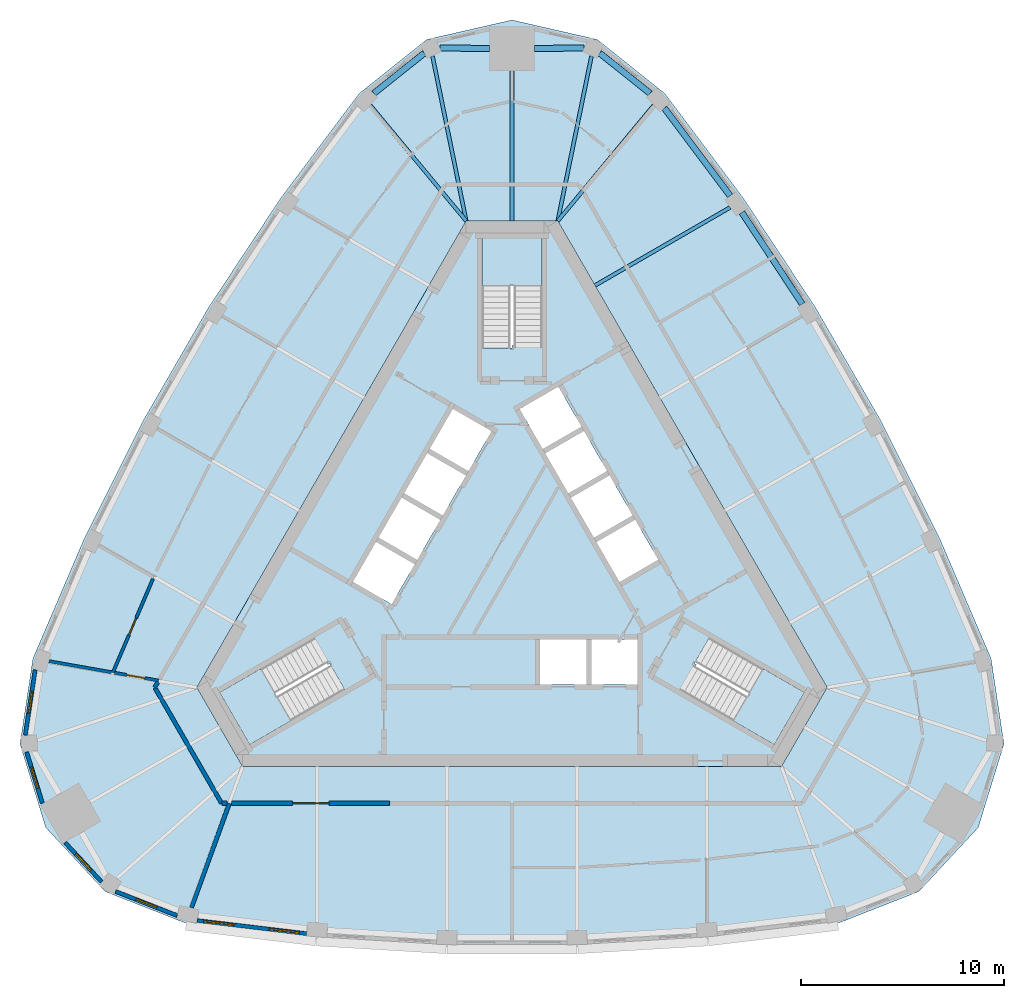
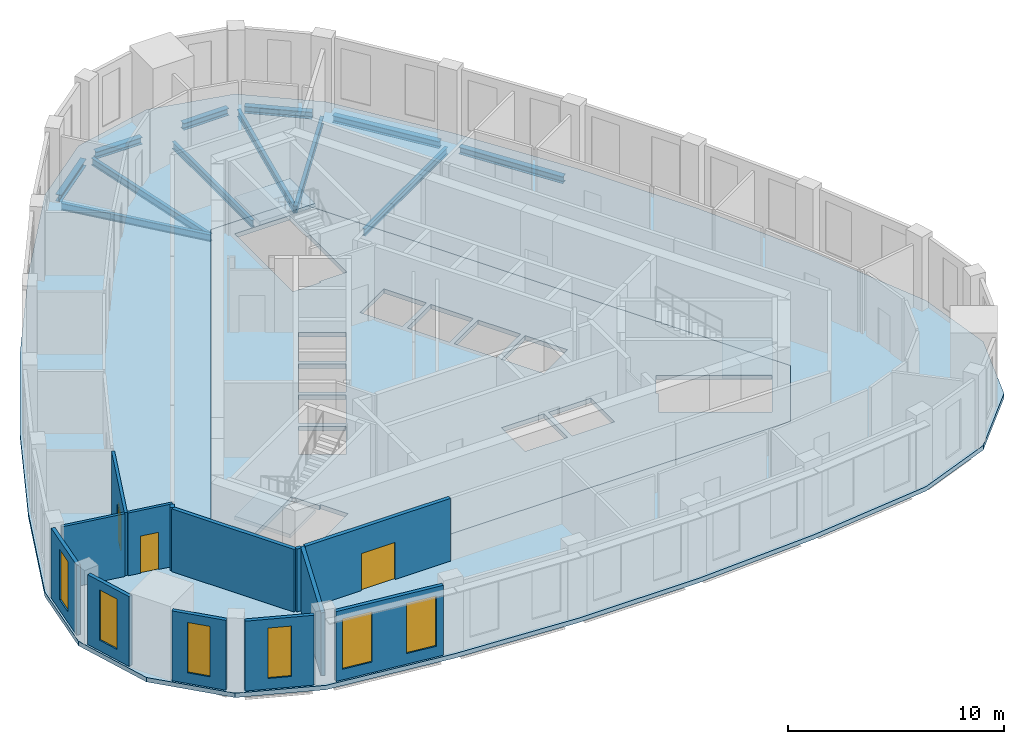
# One storey, part 2 of 10: 13 walls, 12 beams, 6 windows, 5 slabs, 3 doors, 9 openings, 3 elements without a shape of their own.
"""IFC4 building model written with IfcOpenShell, lengths in metres."""

from ifc_helpers import new_model, si_unit, direction, frame, frame_2d, origin, origin_2d, place, context, subcontext, project, spatial, polyline, rectangle, i_section, outline, extrude, material, layer, layer_set, material_profile, profile_set, type_object, element, fill, aggregate, save


model = new_model("IFC4")

# Units and contexts
model_context = context("Model", 3, precision=1e-05, world=origin(), true_north=direction((0.0, 1.0)))
body_context = subcontext(model_context, "Body", "Model", "MODEL_VIEW")
ifc_project = project(units=[si_unit("LENGTHUNIT", "METRE"), si_unit("AREAUNIT", "SQUARE_METRE"), si_unit("VOLUMEUNIT", "CUBIC_METRE"), si_unit("PLANEANGLEUNIT", "RADIAN"), si_unit("MASSUNIT", "GRAM", prefix="KILO")], contexts=[model_context])

# Site, building, storey
site_placement = place(None, origin())
site = spatial("IfcSite", under=ifc_project, at=site_placement, CompositionType="ELEMENT")
building_placement = place(site_placement, origin())
building = spatial("IfcBuilding", under=site, at=building_placement, Name="Mestral Congress Tower", CompositionType="ELEMENT")
storey_placement = place(building_placement, frame((0.0, 0.0, 296.39990234375)))
storey = spatial("IfcBuildingStorey", under=building, at=storey_placement, Name="L69", CompositionType="ELEMENT", Elevation=296.39990234375)

# Beams
ifc_material_1 = material(Name="Steel S355", Category="steel")
ifc_material_profile_1 = material_profile(ifc_material_1, i_section(OverallWidth=0.179931640625, OverallDepth=0.39990234375, WebThickness=0.008544921875, FlangeThickness=0.013427734375, FilletRadius=0.02099609375, at=origin_2d()), Name="IPE 400")
ifc_profile_set_1 = profile_set([ifc_material_profile_1], Name="Steel S355")
beam_type_1 = type_object("IfcBeamType", Name="Floor beam IPE 400 S355", PredefinedType="BEAM", material=ifc_profile_set_1)
beam_1_placement = place(storey_placement, frame((10.7275390625, 17.263916015625, -0.449951171875), z_axis=(-0.866019720907, -0.500009842903, 0.0), x_axis=(0.500009842903, -0.866019720907, 0.0)))
element("IfcBeam", 1, at=beam_1_placement, inside=storey, type_object=beam_type_1, Name="BM-L69-RB5-E04", PredefinedType="BEAM", context=body_context, shape_type="SweptSolid", body=[
    extrude(i_section(OverallWidth=0.179931640625, OverallDepth=0.39990234375, WebThickness=0.008544921875, FlangeThickness=0.013427734375, FilletRadius=0.02099609375, at=origin_2d()), origin(), (0.0, 0.0, 1.0), 7.672119140625),
])
beam_2_placement = place(storey_placement, frame((6.969970703125, 22.2890625, -0.449951171875), z_axis=(-0.638382651591, -0.769719163168, 0.0), x_axis=(0.769719163168, -0.638382651591, 0.0)))
element("IfcBeam", 2, at=beam_2_placement, inside=storey, type_object=beam_type_1, Name="BM-L69-RB5-E05", PredefinedType="BEAM", context=body_context, shape_type="SweptSolid", body=[
    extrude(i_section(OverallWidth=0.179931640625, OverallDepth=0.39990234375, WebThickness=0.008544921875, FlangeThickness=0.013427734375, FilletRadius=0.02099609375, at=origin_2d()), origin(), (0.0, 0.0, 1.0), 7.390869140625),
])
beam_3_placement = place(storey_placement, frame((3.910888671875, 24.7119140625, -0.449951171875), z_axis=(-0.200389803804, -0.979716247967, 0.0), x_axis=(0.979716247967, -0.200389803804, 0.0)))
element("IfcBeam", 3, at=beam_3_placement, inside=storey, type_object=beam_type_1, Name="BM-L69-RB5-N1", PredefinedType="BEAM", context=body_context, shape_type="SweptSolid", body=[
    extrude(i_section(OverallWidth=0.179931640625, OverallDepth=0.39990234375, WebThickness=0.008544921875, FlangeThickness=0.013427734375, FilletRadius=0.02099609375, at=origin_2d()), origin(), (0.0, 0.0, 1.0), 8.27978515625),
])
beam_4_placement = place(storey_placement, frame((0.0, 23.97802734375, -0.449951171875), z_axis=(0.0, -1.0, 0.0), x_axis=(1.0, 0.0, 0.0)))
element("IfcBeam", 4, at=beam_4_placement, inside=storey, type_object=beam_type_1, Name="BM-L69-RB5-N", PredefinedType="BEAM", context=body_context, shape_type="SweptSolid", body=[
    extrude(i_section(OverallWidth=0.179931640625, OverallDepth=0.39990234375, WebThickness=0.008544921875, FlangeThickness=0.013427734375, FilletRadius=0.02099609375, at=origin_2d()), origin(), (0.0, 0.0, 1.0), 7.3779296875),
])
beam_5_placement = place(storey_placement, frame((-3.910888671875, 24.7119140625, -0.449951171875), z_axis=(0.200389803804, -0.979716247967, 0.0), x_axis=(0.979716247967, 0.200389803804, 0.0)))
element("IfcBeam", 5, at=beam_5_placement, inside=storey, type_object=beam_type_1, Name="BM-L69-RB5-N3", PredefinedType="BEAM", context=body_context, shape_type="SweptSolid", body=[
    extrude(i_section(OverallWidth=0.179931640625, OverallDepth=0.39990234375, WebThickness=0.008544921875, FlangeThickness=0.013427734375, FilletRadius=0.02099609375, at=origin_2d()), origin(), (0.0, 0.0, 1.0), 8.27978515625),
])
beam_6_placement = place(storey_placement, frame((-6.969970703125, 22.2890625, -0.449951171875), z_axis=(0.638382651591, -0.769719163168, 0.0), x_axis=(0.769719163168, 0.638382651591, 0.0)))
element("IfcBeam", 6, at=beam_6_placement, inside=storey, type_object=beam_type_1, Name="BM-L69-RB5-W00", PredefinedType="BEAM", context=body_context, shape_type="SweptSolid", body=[
    extrude(i_section(OverallWidth=0.179931640625, OverallDepth=0.39990234375, WebThickness=0.008544921875, FlangeThickness=0.013427734375, FilletRadius=0.02099609375, at=origin_2d()), origin(), (0.0, 0.0, 1.0), 7.390869140625),
])
ifc_material_profile_2 = material_profile(ifc_material_1, i_section(OverallWidth=0.300048828125, OverallDepth=0.389892578125, WebThickness=0.010986328125, FlangeThickness=0.01904296875, FilletRadius=0.027099609375, at=origin_2d()), Name="HEA 400")
ifc_profile_set_2 = profile_set([ifc_material_profile_2], Name="Steel S355")
beam_type_2 = type_object("IfcBeamType", Name="Spandrel beam HEA 400 S355", PredefinedType="BEAM", material=ifc_profile_set_2)
beam_7_placement = place(storey_placement, frame((14.280517578125, 12.51611328125, -0.44482421875), z_axis=(-0.550748957655, 0.83467094453, 0.0), x_axis=(-0.83467094453, -0.550748957655, 0.0)))
element("IfcBeam", 7, at=beam_7_placement, inside=storey, type_object=beam_type_2, Name="SP-L69-SB5-E03", PredefinedType="BEAM", context=body_context, shape_type="SweptSolid", body=[
    extrude(i_section(OverallWidth=0.300048828125, OverallDepth=0.389892578125, WebThickness=0.010986328125, FlangeThickness=0.01904296875, FilletRadius=0.027099609375, at=origin_2d()), origin(), (0.0, 0.0, 1.0), 5.3984375),
])
beam_8_placement = place(storey_placement, frame((10.73193359375, 17.83984375, -0.44482421875), z_axis=(-0.599529393236, 0.800352738888, 0.0), x_axis=(-0.800352738888, -0.599529393236, 0.0)))
element("IfcBeam", 8, at=beam_8_placement, inside=storey, type_object=beam_type_2, Name="SP-L69-SB5-E04", PredefinedType="BEAM", context=body_context, shape_type="SweptSolid", body=[
    extrude(i_section(OverallWidth=0.300048828125, OverallDepth=0.389892578125, WebThickness=0.010986328125, FlangeThickness=0.01904296875, FilletRadius=0.027099609375, at=origin_2d()), origin(), (0.0, 0.0, 1.0), 5.396484375),
])
beam_9_placement = place(storey_placement, frame((6.7998046875, 22.876708984375, -0.44482421875), z_axis=(-0.781647188603, 0.623720829016, 0.0), x_axis=(-0.623720829016, -0.781647188603, 0.0)))
element("IfcBeam", 9, at=beam_9_placement, inside=storey, type_object=beam_type_2, Name="SP-L69-SB5-E05", PredefinedType="BEAM", context=body_context, shape_type="SweptSolid", body=[
    extrude(i_section(OverallWidth=0.300048828125, OverallDepth=0.389892578125, WebThickness=0.010986328125, FlangeThickness=0.01904296875, FilletRadius=0.027099609375, at=origin_2d()), origin(), (0.0, 0.0, 1.0), 3.179931640625),
])
for number, where, z_axis, x_axis, name in (
    (10, (3.54736328125, 25.11181640625, -0.44482421875), (-0.999955093848, -0.009476829002, 0.0), (0.009476829002, -0.999955093848, 0.0), "SP-L69-SB5-N1"),
    (11, (-1.10009765625, 25.088623046875, -0.44482421875), (-0.999955093848, 0.009476829002, 0.0), (-0.009476829002, -0.999955093848, 0.0), "SP-L69-SB5-N"),
):
    element("IfcBeam", number, at=place(storey_placement, frame(where, z_axis=z_axis, x_axis=x_axis)), inside=storey, type_object=beam_type_2, Name=name, PredefinedType="BEAM", context=body_context, shape_type="SweptSolid", body=[
        extrude(i_section(OverallWidth=0.300048828125, OverallDepth=0.389892578125, WebThickness=0.010986328125, FlangeThickness=0.01904296875, FilletRadius=0.027099609375, at=origin_2d()), origin(), (0.0, 0.0, 1.0), 2.447265625),
    ])
beam_10_placement = place(storey_placement, frame((-4.314208984375, 24.860107421875, -0.44482421875), z_axis=(-0.781647188603, -0.623720829016, 0.0), x_axis=(0.623720829016, -0.781647188603, 0.0)))
element("IfcBeam", 12, at=beam_10_placement, inside=storey, type_object=beam_type_2, Name="SP-L69-SB5-N3", PredefinedType="BEAM", context=body_context, shape_type="SweptSolid", body=[
    extrude(i_section(OverallWidth=0.300048828125, OverallDepth=0.389892578125, WebThickness=0.010986328125, FlangeThickness=0.01904296875, FilletRadius=0.027099609375, at=origin_2d()), origin(), (0.0, 0.0, 1.0), 3.179931640625),
])

# Slabs
ifc_material_2 = material(Name="Concrete C35/45", Category="concrete")
ifc_layer_1 = layer(ifc_material_2, 0.25)
ifc_layer_set_1 = layer_set([ifc_layer_1], Name="Concrete C35/45")
slab_type_1 = type_object("IfcSlabType", Name="Composite floor slab 250", PredefinedType="FLOOR", material=ifc_layer_set_1)
placement_1 = place(storey_placement, frame((0.0, 0.0, -0.25)))
element("IfcSlab", 13, at=placement_1, inside=storey, type_object=slab_type_1, Name="SL-L69", PredefinedType="FLOOR", context=body_context, shape_type="SweptSolid", body=[
    extrude(outline(polyline([(-16.051513671875, -17.951904296875), (-20.014404296875, -16.39794921875), (-22.940673828125, -13.244873046875), (-24.208251953125, -9.1337890625), (-23.572509765625, -4.925048828125), (-21.027587890625, 1.0234375), (-18.152099609375, 6.77001953125), (-14.939208984375, 12.335205078125), (-11.400146484375, 17.698486328125), (-7.52099609375, 22.876953125), (-4.19384765625, 25.531982421875), (0.0, 26.48974609375), (4.19384765625, 25.531982421875), (7.52099609375, 22.876953125), (11.400146484375, 17.698486328125), (14.939208984375, 12.335205078125), (18.152099609375, 6.77001953125), (21.027587890625, 1.0234375), (23.572509765625, -4.925048828125), (24.208251953125, -9.1337890625), (22.940673828125, -13.244873046875), (20.014404296875, -16.39794921875), (16.051513671875, -17.951904296875), (9.62744140625, -18.72216796875), (3.212890625, -19.105224609375), (-3.212890625, -19.105224609375), (-9.62744140625, -18.72216796875), (-16.051513671875, -17.951904296875)]), holes=[polyline([(-2.251708984375, 16.60009765625), (-15.501953125, -6.35009765625), (-13.250244140625, -10.25), (13.250244140625, -10.25), (15.501953125, -6.35009765625), (2.251708984375, 16.60009765625), (-2.251708984375, 16.60009765625)])]), origin(), (0.0, 0.0, 1.0), 0.25),
])
ifc_material_3 = material(Name="Concrete C60/75", Category="concrete")
ifc_layer_2 = layer(ifc_material_3, 0.25)
ifc_layer_set_2 = layer_set([ifc_layer_2], Name="Concrete C60/75")
slab_type_2 = type_object("IfcSlabType", Name="Core floor slab RC 250", PredefinedType="FLOOR", material=ifc_layer_set_2)
element("IfcSlab", 14, at=placement_1, inside=storey, type_object=slab_type_2, Name="L69 core floor", PredefinedType="FLOOR", context=body_context, shape_type="SweptSolid", body=[
    extrude(outline(polyline([(13.250244140625, -10.25), (-13.250244140625, -10.25), (-15.501953125, -6.35009765625), (-2.251708984375, 16.60009765625), (2.251708984375, 16.60009765625), (15.501953125, -6.35009765625), (13.250244140625, -10.25)]), holes=[polyline([(-14.37744140625, -6.59765625), (-12.90234375, -9.15234375), (-8.234619140625, -6.45751953125), (-8.971923828125, -5.179931640625), (-9.0673828125, -5.235107421875), (-9.8046875, -3.95751953125), (-14.37744140625, -6.59765625)]), polyline([(-5.921630859375, -2.256591796875), (-4.78662109375, -0.29052734375), (-6.69189453125, 0.809326171875), (-7.826904296875, -1.156494140625), (-5.921630859375, -2.256591796875)]), polyline([(-4.66162109375, -0.07421875), (-3.526611328125, 1.8916015625), (-5.431884765625, 2.99169921875), (-6.56689453125, 1.02587890625), (-4.66162109375, -0.07421875)]), polyline([(-2.2666015625, 4.07421875), (-4.171875, 5.174072265625), (-5.306884765625, 3.208251953125), (-3.401611328125, 2.1083984375), (-2.2666015625, 4.07421875)]), polyline([(-2.1416015625, 4.29052734375), (-1.006591796875, 6.256591796875), (-2.911865234375, 7.3564453125), (-4.046875, 5.390625), (-2.1416015625, 4.29052734375)]), polyline([(0.376708984375, 7.34765625), (1.51171875, 5.3818359375), (3.4169921875, 6.481689453125), (2.281982421875, 8.44775390625), (0.376708984375, 7.34765625)]), polyline([(1.47509765625, 15.75), (-1.47509765625, 15.75), (-1.47509765625, 10.360107421875), (0.0, 10.360107421875), (0.0, 10.469970703125), (1.47509765625, 10.469970703125), (1.47509765625, 15.75)]), polyline([(8.329833984375, -6.512451171875), (12.90234375, -9.15234375), (14.37744140625, -6.59765625), (9.70947265625, -3.902587890625), (8.971923828125, -5.179931640625), (9.0673828125, -5.235107421875), (8.329833984375, -6.512451171875)]), polyline([(3.655029296875, -4.0), (1.385009765625, -4.0), (1.385009765625, -6.199951171875), (3.655029296875, -6.199951171875), (3.655029296875, -4.0)]), polyline([(6.175048828125, -4.0), (3.905029296875, -4.0), (3.905029296875, -6.199951171875), (6.175048828125, -6.199951171875), (6.175048828125, -4.0)]), polyline([(4.156494140625, 0.800537109375), (5.29150390625, -1.165283203125), (7.197021484375, -0.065185546875), (6.06201171875, 1.900634765625), (4.156494140625, 0.800537109375)]), polyline([(2.896484375, 2.98291015625), (4.031494140625, 1.01708984375), (5.93701171875, 2.1171875), (4.802001953125, 4.0830078125), (2.896484375, 2.98291015625)]), polyline([(1.63671875, 5.165283203125), (2.771484375, 3.199462890625), (4.677001953125, 4.29931640625), (3.5419921875, 6.265380859375), (1.63671875, 5.165283203125)])]), origin(), (0.0, 0.0, 1.0), 0.25),
])

# Stair, slab
stair_type = type_object("IfcStairType", Name="Exit stair 1400", PredefinedType="HALF_TURN_STAIR", material=ifc_material_3)
placement_2 = place(storey_placement, origin())
stair_1 = element("IfcStair", 15, at=placement_2, inside=storey, type_object=stair_type, Name="L69 ST1", PredefinedType="HALF_TURN_STAIR")
ifc_layer_3 = layer(ifc_material_3, 0.199951171875)
ifc_layer_set_3 = layer_set([ifc_layer_3], Name="Concrete C60/75")
slab_type_3 = type_object("IfcSlabType", Name="Exit stair landing 200", PredefinedType="LANDING", material=ifc_layer_set_3)
placement_3 = place(storey_placement, frame((0.0, 0.0, 1.900146484375)))
slab_3 = element("IfcSlab", 16, at=placement_3, type_object=slab_type_3, Name="ST1 landing 1", PredefinedType="LANDING", context=body_context, shape_type="SweptSolid", body=[
    extrude(outline(polyline([(10.879638671875, -7.99609375), (12.364501953125, -5.424072265625), (14.39111328125, -6.593994140625), (12.906005859375, -9.166015625), (10.879638671875, -7.99609375)])), origin(), (0.0, 0.0, 1.0), 0.199951171875),
])
aggregate(stair_1, [slab_3])

stair_2 = element("IfcStair", 17, at=placement_2, inside=storey, type_object=stair_type, Name="L69 ST2", PredefinedType="HALF_TURN_STAIR")
slab_4 = element("IfcSlab", 18, at=placement_3, type_object=slab_type_3, Name="ST2 landing 1", PredefinedType="LANDING", context=body_context, shape_type="SweptSolid", body=[
    extrude(outline(polyline([(1.485107421875, 13.419921875), (-1.485107421875, 13.419921875), (-1.485107421875, 15.760009765625), (1.485107421875, 15.760009765625), (1.485107421875, 13.419921875)])), origin(), (0.0, 0.0, 1.0), 0.199951171875),
])
aggregate(stair_2, [slab_4])

stair_3 = element("IfcStair", 19, at=placement_2, inside=storey, type_object=stair_type, Name="L69 ST3", PredefinedType="HALF_TURN_STAIR")
slab_5 = element("IfcSlab", 20, at=placement_3, type_object=slab_type_3, Name="ST3 landing 1", PredefinedType="LANDING", context=body_context, shape_type="SweptSolid", body=[
    extrude(outline(polyline([(-12.364501953125, -5.424072265625), (-10.879638671875, -7.99609375), (-12.906005859375, -9.166015625), (-14.39111328125, -6.593994140625), (-12.364501953125, -5.424072265625)])), origin(), (0.0, 0.0, 1.0), 0.199951171875),
])
aggregate(stair_3, [slab_5])

# Wall, openings, windows
ifc_material_4 = material(Name="Precast concrete C40/50 with limestone facing", Category="masonry")
ifc_layer_4 = layer(ifc_material_4, 0.18994140625)
ifc_layer_set_4 = layer_set([ifc_layer_4], Name="Precast concrete C40/50 with limestone facing")
wall_type_1 = type_object("IfcWallType", Name="Facade stone wall 190", PredefinedType="SOLIDWALL", material=ifc_layer_set_4)
wall_1_placement = place(storey_placement, frame((-15.487060546875, -17.822998046875, 0.0), z_axis=(0.0, 0.0, 1.0), x_axis=(0.992885582795, -0.119072328769, 0.0)))
wall_1 = element("IfcWall", 21, at=wall_1_placement, inside=storey, type_object=wall_type_1, Name="Facade wall F0-00", PredefinedType="SOLIDWALL", context=body_context, shape_type="SweptSolid", body=[
    extrude(rectangle(XDim=5.4150390625, YDim=0.18994140625, at=frame_2d((2.70751953125, 0.0))), origin(), (0.0, 0.0, 1.0), 3.9501953125),
])
opening_1_placement = place(wall_1_placement, frame((0.322509765625, 0.0, 0.60009765625)))
opening_1 = element("IfcOpeningElement", 22, at=opening_1_placement, cuts=wall_1, Name="Opening W6", PredefinedType="OPENING", context=body_context, shape_type="SweptSolid", body=[
    extrude(rectangle(XDim=1.5, YDim=2.85009765625, at=frame_2d((0.75, 1.425048828125))), frame((0.0, 0.10498046875, 0.0), z_axis=(0.0, -1.0, 0.0), x_axis=(1.0, 0.0, 0.0)), (0.0, 0.0, 1.0), 0.2099609375),
])
opening_2_placement = place(wall_1_placement, frame((3.5576171875, 0.0, 0.60009765625)))
opening_2 = element("IfcOpeningElement", 23, at=opening_2_placement, cuts=wall_1, Name="Opening W6", PredefinedType="OPENING", context=body_context, shape_type="SweptSolid", body=[
    extrude(rectangle(XDim=1.5, YDim=2.85009765625, at=frame_2d((0.75, 1.425048828125))), frame((0.0, 0.10498046875, 0.0), z_axis=(0.0, -1.0, 0.0), x_axis=(1.0, 0.0, 0.0)), (0.0, 0.0, 1.0), 0.2099609375),
])
ifc_material_5 = material(Name="Clear low-emissivity double glazing", Category="glass")
window_type_1 = type_object("IfcWindowType", Name="Facade punched window 1500 x 2850 sill 600", PartitioningType="SINGLE_PANEL", PredefinedType="WINDOW", material=ifc_material_5)
window_1_placement = place(opening_1_placement, origin())
window_1 = element("IfcWindow", 24, at=window_1_placement, inside=storey, type_object=window_type_1, Name="Window F0-00a", OverallHeight=2.85009765625, OverallWidth=1.5, PartitioningType="SINGLE_PANEL", PredefinedType="WINDOW", context=body_context, shape_type="SweptSolid", body=[
    extrude(rectangle(XDim=1.5, YDim=2.85009765625, at=frame_2d((0.75, 1.425048828125))), frame((0.0, 0.044921875, 0.0), z_axis=(0.0, -1.0, 0.0), x_axis=(1.0, 0.0, 0.0)), (0.0, 0.0, 1.0), 0.06005859375),
])
fill(opening_1, window_1)
window_2_placement = place(opening_2_placement, origin())
window_2 = element("IfcWindow", 25, at=window_2_placement, inside=storey, type_object=window_type_1, Name="Window F0-00b", OverallHeight=2.85009765625, OverallWidth=1.5, PartitioningType="SINGLE_PANEL", PredefinedType="WINDOW", context=body_context, shape_type="SweptSolid", body=[
    extrude(rectangle(XDim=1.5, YDim=2.85009765625, at=frame_2d((0.75, 1.425048828125))), frame((0.0, 0.044921875, 0.0), z_axis=(0.0, -1.0, 0.0), x_axis=(1.0, 0.0, 0.0)), (0.0, 0.0, 1.0), 0.06005859375),
])
fill(opening_2, window_2)

# Wall, opening, window
wall_2_placement = place(storey_placement, frame((-23.460205078125, -5.488037109375, 0.0), z_axis=(0.0, 0.0, 1.0), x_axis=(-0.149421055602, -0.988773658702, 0.0)))
wall_2 = element("IfcWall", 26, at=wall_2_placement, inside=storey, type_object=wall_type_1, Name="Facade wall K2-0", PredefinedType="SOLIDWALL", context=body_context, shape_type="SweptSolid", body=[
    extrude(rectangle(XDim=3.23681640625, YDim=0.18994140625, at=frame_2d((1.618408203125, 0.0))), origin(), (0.0, 0.0, 1.0), 3.9501953125),
])
opening_3_placement = place(wall_2_placement, frame((1.068359375, 0.0, 0.60009765625)))
opening_3 = element("IfcOpeningElement", 27, at=opening_3_placement, cuts=wall_2, Name="Opening W7", PredefinedType="OPENING", context=body_context, shape_type="SweptSolid", body=[
    extrude(rectangle(XDim=1.10009765625, YDim=2.85009765625, at=frame_2d((0.550048828125, 1.425048828125))), frame((0.0, 0.10498046875, 0.0), z_axis=(0.0, -1.0, 0.0), x_axis=(1.0, 0.0, 0.0)), (0.0, 0.0, 1.0), 0.2099609375),
])
window_type_2 = type_object("IfcWindowType", Name="Facade punched window 1100 x 2850 sill 600", PartitioningType="SINGLE_PANEL", PredefinedType="WINDOW", material=ifc_material_5)
window_3_placement = place(opening_3_placement, origin())
window_3 = element("IfcWindow", 28, at=window_3_placement, inside=storey, type_object=window_type_2, Name="Window K2-0", OverallHeight=2.85009765625, OverallWidth=1.10009765625, PartitioningType="SINGLE_PANEL", PredefinedType="WINDOW", context=body_context, shape_type="SweptSolid", body=[
    extrude(rectangle(XDim=1.10009765625, YDim=2.85009765625, at=frame_2d((0.550048828125, 1.425048828125))), frame((0.0, 0.044921875, 0.0), z_axis=(0.0, -1.0, 0.0), x_axis=(1.0, 0.0, 0.0)), (0.0, 0.0, 1.0), 0.06005859375),
])
fill(opening_3, window_3)

wall_3_placement = place(storey_placement, frame((-23.880615234375, -9.53515625, 0.0), z_axis=(0.0, 0.0, 1.0), x_axis=(0.294706210429, -0.9555879078, 0.0)))
wall_3 = element("IfcWall", 29, at=wall_3_placement, inside=storey, type_object=wall_type_1, Name="Facade wall K2-1", PredefinedType="SOLIDWALL", context=body_context, shape_type="SweptSolid", body=[
    extrude(rectangle(XDim=2.626953125, YDim=0.18994140625, at=frame_2d((1.3134765625, 0.0))), origin(), (0.0, 0.0, 1.0), 3.9501953125),
])
opening_4_placement = place(wall_3_placement, frame((0.763427734375, 0.0, 0.60009765625)))
opening_4 = element("IfcOpeningElement", 30, at=opening_4_placement, cuts=wall_3, Name="Opening W7", PredefinedType="OPENING", context=body_context, shape_type="SweptSolid", body=[
    extrude(rectangle(XDim=1.10009765625, YDim=2.85009765625, at=frame_2d((0.550048828125, 1.425048828125))), frame((0.0, 0.10498046875, 0.0), z_axis=(0.0, -1.0, 0.0), x_axis=(1.0, 0.0, 0.0)), (0.0, 0.0, 1.0), 0.2099609375),
])
window_4_placement = place(opening_4_placement, origin())
window_4 = element("IfcWindow", 31, at=window_4_placement, inside=storey, type_object=window_type_2, Name="Window K2-1", OverallHeight=2.85009765625, OverallWidth=1.10009765625, PartitioningType="SINGLE_PANEL", PredefinedType="WINDOW", context=body_context, shape_type="SweptSolid", body=[
    extrude(rectangle(XDim=1.10009765625, YDim=2.85009765625, at=frame_2d((0.550048828125, 1.425048828125))), frame((0.0, 0.044921875, 0.0), z_axis=(0.0, -1.0, 0.0), x_axis=(1.0, 0.0, 0.0)), (0.0, 0.0, 1.0), 0.06005859375),
])
fill(opening_4, window_4)

wall_4_placement = place(storey_placement, frame((-21.98486328125, -13.988037109375, 0.0), z_axis=(0.0, 0.0, 1.0), x_axis=(0.680219354823, -0.733008614768, 0.0)))
wall_4 = element("IfcWall", 32, at=wall_4_placement, inside=storey, type_object=wall_type_1, Name="Facade wall K2-2", PredefinedType="SOLIDWALL", context=body_context, shape_type="SweptSolid", body=[
    extrude(rectangle(XDim=2.626953125, YDim=0.18994140625, at=frame_2d((1.3134765625, 0.0))), origin(), (0.0, 0.0, 1.0), 3.9501953125),
])
opening_5_placement = place(wall_4_placement, frame((0.763427734375, 0.0, 0.60009765625)))
opening_5 = element("IfcOpeningElement", 33, at=opening_5_placement, cuts=wall_4, Name="Opening W7", PredefinedType="OPENING", context=body_context, shape_type="SweptSolid", body=[
    extrude(rectangle(XDim=1.10009765625, YDim=2.85009765625, at=frame_2d((0.550048828125, 1.425048828125))), frame((0.0, 0.10498046875, 0.0), z_axis=(0.0, -1.0, 0.0), x_axis=(1.0, 0.0, 0.0)), (0.0, 0.0, 1.0), 0.2099609375),
])
window_5_placement = place(opening_5_placement, origin())
window_5 = element("IfcWindow", 34, at=window_5_placement, inside=storey, type_object=window_type_2, Name="Window K2-2", OverallHeight=2.85009765625, OverallWidth=1.10009765625, PartitioningType="SINGLE_PANEL", PredefinedType="WINDOW", context=body_context, shape_type="SweptSolid", body=[
    extrude(rectangle(XDim=1.10009765625, YDim=2.85009765625, at=frame_2d((0.550048828125, 1.425048828125))), frame((0.0, 0.044921875, 0.0), z_axis=(0.0, -1.0, 0.0), x_axis=(1.0, 0.0, 0.0)), (0.0, 0.0, 1.0), 0.06005859375),
])
fill(opening_5, window_5)

wall_5_placement = place(storey_placement, frame((-19.496337890625, -16.3916015625, 0.0), z_axis=(0.0, 0.0, 1.0), x_axis=(0.93100888477, -0.364996515709, 0.0)))
wall_5 = element("IfcWall", 35, at=wall_5_placement, inside=storey, type_object=wall_type_1, Name="Facade wall K2-3", PredefinedType="SOLIDWALL", context=body_context, shape_type="SweptSolid", body=[
    extrude(rectangle(XDim=3.23681640625, YDim=0.18994140625, at=frame_2d((1.618408203125, 0.0))), origin(), (0.0, 0.0, 1.0), 3.9501953125),
])
opening_6_placement = place(wall_5_placement, frame((1.068359375, 0.0, 0.60009765625)))
opening_6 = element("IfcOpeningElement", 36, at=opening_6_placement, cuts=wall_5, Name="Opening W7", PredefinedType="OPENING", context=body_context, shape_type="SweptSolid", body=[
    extrude(rectangle(XDim=1.10009765625, YDim=2.85009765625, at=frame_2d((0.550048828125, 1.425048828125))), frame((0.0, 0.10498046875, 0.0), z_axis=(0.0, -1.0, 0.0), x_axis=(1.0, 0.0, 0.0)), (0.0, 0.0, 1.0), 0.2099609375),
])
window_6_placement = place(opening_6_placement, origin())
window_6 = element("IfcWindow", 37, at=window_6_placement, inside=storey, type_object=window_type_2, Name="Window K2-3", OverallHeight=2.85009765625, OverallWidth=1.10009765625, PartitioningType="SINGLE_PANEL", PredefinedType="WINDOW", context=body_context, shape_type="SweptSolid", body=[
    extrude(rectangle(XDim=1.10009765625, YDim=2.85009765625, at=frame_2d((0.550048828125, 1.425048828125))), frame((0.0, 0.044921875, 0.0), z_axis=(0.0, -1.0, 0.0), x_axis=(1.0, 0.0, 0.0)), (0.0, 0.0, 1.0), 0.06005859375),
])
fill(opening_6, window_6)

# Wall, opening, door
ifc_material_6 = material(Name="Plasterboard partition on steel studs", Category="steel")
ifc_layer_5 = layer(ifc_material_6, 0.14990234375)
ifc_layer_set_5 = layer_set([ifc_layer_5], Name="Plasterboard partition on steel studs")
wall_type_2 = type_object("IfcWallType", Name="Office partition 150", PredefinedType="PARTITIONING", material=ifc_layer_set_5)
wall_6_placement = place(storey_placement, frame((-19.638671875, -5.61962890625, 0.0), z_axis=(0.0, 0.0, 1.0), x_axis=(0.393349802257, 0.919388891092, 0.0)))
wall_6 = element("IfcWall", 38, at=wall_6_placement, inside=storey, type_object=wall_type_2, Name="Partition", PredefinedType="PARTITIONING", context=body_context, shape_type="SweptSolid", body=[
    extrude(rectangle(XDim=5.019287109375, YDim=0.14990234375, at=frame_2d((2.509765625, 0.0))), origin(), (0.0, 0.0, 1.0), 3.550048828125),
])
opening_7_placement = place(wall_6_placement, frame((2.019287109375, 0.0, 0.0)))
opening_7 = element("IfcOpeningElement", 39, at=opening_7_placement, cuts=wall_6, Name="Opening O13-016", PredefinedType="OPENING", context=body_context, shape_type="SweptSolid", body=[
    extrude(rectangle(XDim=0.89990234375, YDim=2.10009765625, at=frame_2d((0.449951171875, 1.050048828125))), frame((0.0, 0.0849609375, 0.0), z_axis=(0.0, -1.0, 0.0), x_axis=(1.0, 0.0, 0.0)), (0.0, 0.0, 1.0), 0.169921875),
])
ifc_material_7 = material(Name="Timber door set", Category="wood")
door_type_1 = type_object("IfcDoorType", Name="Office door 900x2100", OperationType="SINGLE_SWING_LEFT", PredefinedType="DOOR", material=ifc_material_7)
door_1_placement = place(opening_7_placement, origin())
door_1 = element("IfcDoor", 40, at=door_1_placement, inside=storey, type_object=door_type_1, Name="Door O13-016", OperationType="SINGLE_SWING_LEFT", OverallHeight=2.10009765625, OverallWidth=0.89990234375, PredefinedType="DOOR", context=body_context, shape_type="SweptSolid", body=[
    extrude(rectangle(XDim=0.89990234375, YDim=2.10009765625, at=frame_2d((0.449951171875, 1.050048828125))), frame((0.0, 0.02490234375, 0.0), z_axis=(0.0, -1.0, 0.0), x_axis=(1.0, 0.0, 0.0)), (0.0, 0.0, 1.0), 0.050048828125),
])
fill(opening_7, door_1)

# Wall
wall_7_placement = place(storey_placement, frame((-19.71435546875, -5.606201171875, 0.0), z_axis=(0.0, 0.0, 1.0), x_axis=(-0.984768527071, 0.173870492294, 0.0)))
element("IfcWall", 41, at=wall_7_placement, inside=storey, type_object=wall_type_2, Name="Partition", PredefinedType="PARTITIONING", context=body_context, shape_type="SweptSolid", body=[
    extrude(rectangle(XDim=3.107421875, YDim=0.14990234375, at=frame_2d((1.5537109375, 0.0))), origin(), (0.0, 0.0, 1.0), 3.550048828125),
])

# Wall, opening, door
wall_8_placement = place(storey_placement, frame((-17.387939453125, -6.01708984375, 0.0), z_axis=(0.0, 0.0, 1.0), x_axis=(-0.984764633635, 0.173892542513, 0.0)))
wall_8 = element("IfcWall", 42, at=wall_8_placement, inside=storey, type_object=wall_type_2, Name="Partition", PredefinedType="PARTITIONING", context=body_context, shape_type="SweptSolid", body=[
    extrude(rectangle(XDim=2.20849609375, YDim=0.14990234375, at=frame_2d((1.104248046875, 0.0))), origin(), (0.0, 0.0, 1.0), 3.550048828125),
])
opening_8_placement = place(wall_8_placement, frame((0.699951171875, 0.0, 0.0)))
opening_8 = element("IfcOpeningElement", 43, at=opening_8_placement, cuts=wall_8, Name="Opening O13-018", PredefinedType="OPENING", context=body_context, shape_type="SweptSolid", body=[
    extrude(rectangle(XDim=0.89990234375, YDim=2.10009765625, at=frame_2d((0.449951171875, 1.050048828125))), frame((0.0, 0.0849609375, 0.0), z_axis=(0.0, -1.0, 0.0), x_axis=(1.0, 0.0, 0.0)), (0.0, 0.0, 1.0), 0.169921875),
])
door_2_placement = place(opening_8_placement, origin())
door_2 = element("IfcDoor", 44, at=door_2_placement, inside=storey, type_object=door_type_1, Name="Door O13-018", OperationType="SINGLE_SWING_RIGHT", OverallHeight=2.10009765625, OverallWidth=0.89990234375, PredefinedType="DOOR", context=body_context, shape_type="SweptSolid", body=[
    extrude(rectangle(XDim=0.89990234375, YDim=2.10009765625, at=frame_2d((0.449951171875, 1.050048828125))), frame((0.0, 0.02490234375, 0.0), z_axis=(0.0, -1.0, 0.0), x_axis=(1.0, 0.0, 0.0)), (0.0, 0.0, 1.0), 0.050048828125),
])
fill(opening_8, door_2)

# Wall
ifc_material_8 = material(Name="Dense masonry wall, plastered", Category="masonry")
ifc_layer_6 = layer(ifc_material_8, 0.199951171875)
ifc_layer_set_6 = layer_set([ifc_layer_6], Name="Dense masonry wall, plastered")
wall_type_3 = type_object("IfcWallType", Name="Office tenancy wall 200", PredefinedType="PARTITIONING", material=ifc_layer_set_6)
wall_9_placement = place(storey_placement, frame((-15.7744140625, -17.190185546875, 0.0), z_axis=(0.0, 0.0, 1.0), x_axis=(0.341821907823, 0.93976474893, 0.0)))
element("IfcWall", 45, at=wall_9_placement, inside=storey, type_object=wall_type_3, Name="Tenancy wall", PredefinedType="PARTITIONING", context=body_context, shape_type="SweptSolid", body=[
    extrude(rectangle(XDim=5.469482421875, YDim=0.199951171875, at=frame_2d((2.73486328125, 0.0))), origin(), (0.0, 0.0, 1.0), 3.550048828125),
])

# Wall, opening, door
wall_10_placement = place(storey_placement, frame((-13.798583984375, -12.050048828125, 0.0), z_axis=(0.0, 0.0, 1.0), x_axis=(1.0, 0.0, 0.0)))
wall_10 = element("IfcWall", 46, at=wall_10_placement, inside=storey, type_object=wall_type_3, Name="Tenancy wall", PredefinedType="PARTITIONING", context=body_context, shape_type="SweptSolid", body=[
    extrude(rectangle(XDim=7.7685546875, YDim=0.199951171875, at=frame_2d((3.88427734375, 0.0))), origin(), (0.0, 0.0, 1.0), 3.550048828125),
])
opening_9_placement = place(wall_10_placement, frame((3.0, 0.0, 0.0)))
opening_9 = element("IfcOpeningElement", 47, at=opening_9_placement, cuts=wall_10, Name="Opening O13-001", PredefinedType="OPENING", context=body_context, shape_type="SweptSolid", body=[
    extrude(rectangle(XDim=1.800048828125, YDim=2.10009765625, at=frame_2d((0.89990234375, 1.050048828125))), frame((0.0, 0.10986328125, 0.0), z_axis=(0.0, -1.0, 0.0), x_axis=(1.0, 0.0, 0.0)), (0.0, 0.0, 1.0), 0.219970703125),
])
ifc_material_9 = material(Name="Fire-rated timber door set", Category="wood")
door_type_2 = type_object("IfcDoorType", Name="Office assembly double door 1800x2100", OperationType="DOUBLE_DOOR_SINGLE_SWING", PredefinedType="DOOR", material=ifc_material_9)
door_3_placement = place(opening_9_placement, origin())
door_3 = element("IfcDoor", 48, at=door_3_placement, inside=storey, type_object=door_type_2, Name="Door O13-001", OperationType="DOUBLE_DOOR_SINGLE_SWING", OverallHeight=2.10009765625, OverallWidth=1.800048828125, PredefinedType="DOOR", context=body_context, shape_type="SweptSolid", body=[
    extrude(rectangle(XDim=1.800048828125, YDim=2.10009765625, at=frame_2d((0.89990234375, 1.050048828125))), frame((0.0, 0.02490234375, 0.0), z_axis=(0.0, -1.0, 0.0), x_axis=(1.0, 0.0, 0.0)), (0.0, 0.0, 1.0), 0.050048828125),
])
fill(opening_9, door_3)

# Walls
wall_11_placement = place(storey_placement, frame((-17.427978515625, -6.086181640625, 0.0), z_axis=(0.0, 0.0, 1.0), x_axis=(-0.499930512259, -0.866065518833, 0.0)))
element("IfcWall", 49, at=wall_11_placement, inside=storey, type_object=wall_type_3, Name="Tenancy wall", PredefinedType="PARTITIONING", context=body_context, shape_type="SweptSolid", body=[
    extrude(rectangle(XDim=0.3046875, YDim=0.199951171875, at=frame_2d((0.15234375, 0.0))), origin(), (0.0, 0.0, 1.0), 3.550048828125),
])
wall_12_placement = place(storey_placement, frame((-17.565185546875, -6.3759765625, 0.0), z_axis=(0.0, 0.0, 1.0), x_axis=(0.499994477444, -0.86602859221, 0.0)))
element("IfcWall", 50, at=wall_12_placement, inside=storey, type_object=wall_type_3, Name="Tenancy wall", PredefinedType="PARTITIONING", context=body_context, shape_type="SweptSolid", body=[
    extrude(rectangle(XDim=6.5517578125, YDim=0.199951171875, at=frame_2d((3.27587890625, 0.0))), origin(), (0.0, 0.0, 1.0), 3.550048828125),
])
wall_13_placement = place(storey_placement, frame((-14.259521484375, -12.050048828125, 0.0), z_axis=(0.0, 0.0, 1.0), x_axis=(1.0, 0.0, 0.0)))
element("IfcWall", 51, at=wall_13_placement, inside=storey, type_object=wall_type_3, Name="Tenancy wall", PredefinedType="PARTITIONING", context=body_context, shape_type="SweptSolid", body=[
    extrude(rectangle(XDim=0.248291015625, YDim=0.199951171875, at=frame_2d((0.1240234375, 0.0))), origin(), (0.0, 0.0, 1.0), 3.550048828125),
])

save(model, "model.ifc")
